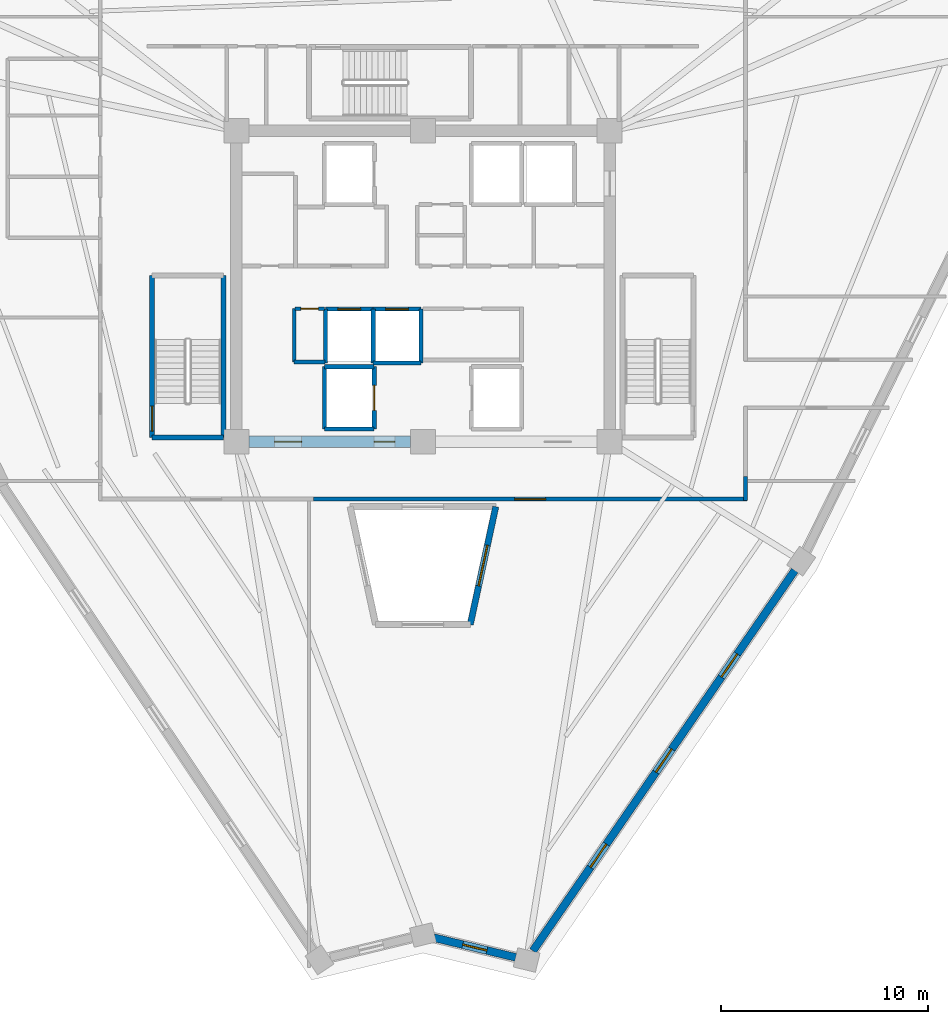
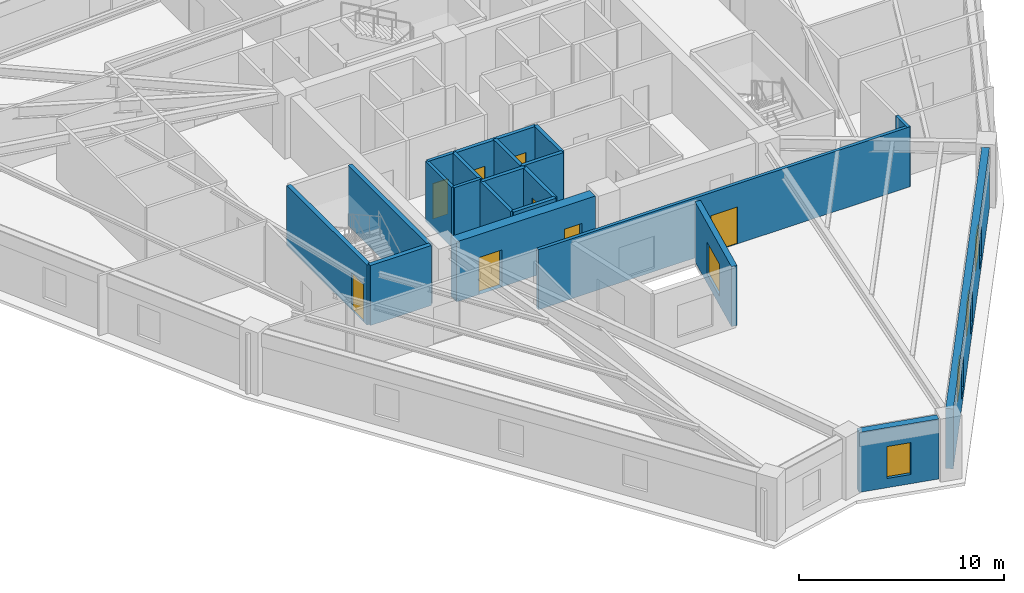
# One storey, part 3 of 8: 22 walls, 8 doors, 5 windows, 13 openings.
"""IFC4 building model written with IfcOpenShell, lengths in metres."""

from ifc_helpers import new_model, si_unit, direction, frame, frame_2d, origin, place, context, subcontext, project, spatial, rectangle, extrude, source, transform, mapped, material, layer, layer_set, type_object, element, fill, save


model = new_model("IFC4")

# Units and contexts
model_context = context("Model", 3, precision=1e-05, world=origin(), true_north=direction((0.0, 1.0)))
body_context = subcontext(model_context, "Body", "Model", "MODEL_VIEW")
ifc_project = project(units=[si_unit("LENGTHUNIT", "METRE"), si_unit("AREAUNIT", "SQUARE_METRE"), si_unit("VOLUMEUNIT", "CUBIC_METRE"), si_unit("PLANEANGLEUNIT", "RADIAN"), si_unit("MASSUNIT", "GRAM", prefix="KILO")], contexts=[model_context])

# Site, building, storey
site_placement = place(None, origin())
site = spatial("IfcSite", under=ifc_project, at=site_placement, CompositionType="ELEMENT")
building_placement = place(site_placement, origin())
building = spatial("IfcBuilding", under=site, at=building_placement, Name="Liaohun Quay Tower", CompositionType="ELEMENT")
storey_placement = place(building_placement, frame((0.0, 0.0, 290.25)))
storey = spatial("IfcBuildingStorey", under=building, at=storey_placement, Name="L75", CompositionType="ELEMENT", Elevation=290.25)

# Wall, opening, window
ifc_material_1 = material(Name="Concrete C50", Category="concrete")
ifc_layer_1 = layer(ifc_material_1, 0.300048828125, Name="Concrete C50", Category="concrete")
ifc_layer_set_1 = layer_set([ifc_layer_1], Name="Concrete C50")
wall_type_1 = type_object("IfcWallType", Name="WAL-ATR-300", PredefinedType="SOLIDWALL", material=ifc_layer_set_1)
wall_1_placement = place(storey_placement, frame((63.511962890625, 43.3701171875, 0.0), z_axis=(0.0, 0.0, 1.0), x_axis=(-0.211300278916, -0.977421194844, 0.0)))
wall_1 = element("IfcWall", 1, at=wall_1_placement, inside=storey, type_object=wall_type_1, Name="L75 Atrium Fire Compartment Wall 3", PredefinedType="SOLIDWALL", context=body_context, shape_type="SweptSolid", body=[
    extrude(rectangle(XDim=5.81640625, YDim=0.300048828125, at=frame_2d((2.908203125, 0.0))), origin(), (0.0, 0.0, 1.0), 3.570068359375),
])
shared_shape_1 = source(origin(), body_context, "Body", "SweptSolid", [
    extrude(rectangle(XDim=2.0, YDim=1.89990234375, at=frame_2d((1.0, 0.949951171875))), frame((0.0, 0.159912109375, 0.0), z_axis=(0.0, -1.0, 0.0), x_axis=(1.0, 0.0, 0.0)), (0.0, 0.0, 1.0), 0.320068359375),
])
opening_1_placement = place(wall_1_placement, frame((1.907958984375, 0.0, 0.550048828125)))
opening_1 = element("IfcOpeningElement", 2, at=opening_1_placement, cuts=wall_1, Name="Opening W07", PredefinedType="OPENING", context=body_context, shape_type="MappedRepresentation", body=[
    mapped(shared_shape_1, transform((0.0, 0.0, 0.0), x_axis=(1.0, 0.0, 0.0), y_axis=(0.0, 1.0, 0.0), z_axis=(0.0, 0.0, 1.0), scale=1.0)),
])
ifc_material_2 = material(Name="Class A 180-min fire-resistant insulated glazing", Category="glass")
window_type_1 = type_object("IfcWindowType", Name="WIN-ATR-FIR", PartitioningType="DOUBLE_PANEL_VERTICAL", PredefinedType="WINDOW", material=ifc_material_2)
shared_shape_2 = source(origin(), body_context, "Body", "SweptSolid", [
    extrude(rectangle(XDim=2.0, YDim=1.89990234375, at=frame_2d((1.0, 0.949951171875))), frame((0.0, 0.030029296875, 0.0), z_axis=(0.0, -1.0, 0.0), x_axis=(1.0, 0.0, 0.0)), (0.0, 0.0, 1.0), 0.06005859375),
])
window_1_placement = place(opening_1_placement, origin())
window_1 = element("IfcWindow", 3, at=window_1_placement, inside=storey, type_object=window_type_1, Name="L75 Atrium Fire-Resistant Glazing W07-3", OverallHeight=1.89990234375, OverallWidth=2.0, PartitioningType="DOUBLE_PANEL_VERTICAL", PredefinedType="WINDOW", context=body_context, shape_type="MappedRepresentation", body=[
    mapped(shared_shape_2, transform((0.0, 0.0, 0.0), x_axis=(1.0, 0.0, 0.0), y_axis=(0.0, 1.0, 0.0), z_axis=(0.0, 0.0, 1.0), scale=1.0)),
])
fill(opening_1, window_1)

# Wall, openings, doors
ifc_layer_2 = layer(ifc_material_1, 0.550048828125, Name="Concrete C50", Category="concrete")
ifc_layer_set_2 = layer_set([ifc_layer_2], Name="Concrete C50")
wall_type_2 = type_object("IfcWallType", Name="WAL-COR-Z4", PredefinedType="SHEAR", material=ifc_layer_set_2)
wall_2_placement = place(storey_placement, frame((59.39990234375, 46.5, 0.0), z_axis=(0.0, 0.0, 1.0), x_axis=(-1.0, 0.0, 0.0)))
wall_2 = element("IfcWall", 4, at=wall_2_placement, inside=storey, type_object=wall_type_2, Name="L75 Central Core Shear Wall S-W", PredefinedType="SHEAR", context=body_context, shape_type="SweptSolid", body=[
    extrude(rectangle(XDim=7.7998046875, YDim=0.550048828125, at=frame_2d((3.89990234375, 0.0))), origin(), (0.0, 0.0, 1.0), 3.570068359375),
])
shared_shape_3 = source(origin(), body_context, "Body", "SweptSolid", [
    extrude(rectangle(XDim=1.300048828125, YDim=2.199951171875, at=frame_2d((0.64990234375, 1.10009765625))), frame((0.0, 0.284912109375, 0.0), z_axis=(0.0, -1.0, 0.0), x_axis=(1.0, 0.0, 0.0)), (0.0, 0.0, 1.0), 0.570068359375),
])
opening_2_placement = place(wall_2_placement, frame((5.25, 0.0, 0.0)))
opening_2 = element("IfcOpeningElement", 5, at=opening_2_placement, cuts=wall_2, Name="Opening FD1", PredefinedType="OPENING", context=body_context, shape_type="MappedRepresentation", body=[
    mapped(shared_shape_3, transform((0.0, 0.0, 0.0), x_axis=(1.0, 0.0, 0.0), y_axis=(0.0, 1.0, 0.0), z_axis=(0.0, 0.0, 1.0), scale=1.0)),
])
shared_shape_4 = source(origin(), body_context, "Body", "SweptSolid", [
    extrude(rectangle(XDim=1.0, YDim=2.199951171875, at=frame_2d((0.5, 1.10009765625))), frame((0.0, 0.284912109375, 0.0), z_axis=(0.0, -1.0, 0.0), x_axis=(1.0, 0.0, 0.0)), (0.0, 0.0, 1.0), 0.570068359375),
])
opening_3_placement = place(wall_2_placement, frame((0.75, 0.0, 0.0)))
opening_3 = element("IfcOpeningElement", 6, at=opening_3_placement, cuts=wall_2, Name="Opening FD2", PredefinedType="OPENING", context=body_context, shape_type="MappedRepresentation", body=[
    mapped(shared_shape_4, transform((0.0, 0.0, 0.0), x_axis=(1.0, 0.0, 0.0), y_axis=(0.0, 1.0, 0.0), z_axis=(0.0, 0.0, 1.0), scale=1.0)),
])
ifc_material_3 = material(Name="Galvanised steel smokeproof fire door", Category="steel")
door_type_1 = type_object("IfcDoorType", Name="DOR-FFL-1300", OperationType="NOTDEFINED", PredefinedType="DOOR", material=ifc_material_3)
shared_shape_5 = source(origin(), body_context, "Body", "SweptSolid", [
    extrude(rectangle(XDim=1.300048828125, YDim=2.199951171875, at=frame_2d((0.64990234375, 1.10009765625))), frame((0.0, 0.02490234375, 0.0), z_axis=(0.0, -1.0, 0.0), x_axis=(1.0, 0.0, 0.0)), (0.0, 0.0, 1.0), 0.050048828125),
])
door_1_placement = place(opening_2_placement, origin())
door_1 = element("IfcDoor", 7, at=door_1_placement, inside=storey, type_object=door_type_1, Name="L75 West Core Lift Lobby Smokeproof Door", OperationType="SINGLE_SWING_RIGHT", OverallHeight=2.199951171875, OverallWidth=1.300048828125, PredefinedType="DOOR", context=body_context, shape_type="MappedRepresentation", body=[
    mapped(shared_shape_5, transform((0.0, 0.0, 0.0), x_axis=(1.0, 0.0, 0.0), y_axis=(0.0, 1.0, 0.0), z_axis=(0.0, 0.0, 1.0), scale=1.0)),
])
fill(opening_2, door_1)
ifc_material_4 = material(Name="Galvanised steel smokeproof lobby fire door", Category="steel")
door_type_2 = type_object("IfcDoorType", Name="DOR-FFL-1000", OperationType="NOTDEFINED", PredefinedType="DOOR", material=ifc_material_4)
shared_shape_6 = source(origin(), body_context, "Body", "SweptSolid", [
    extrude(rectangle(XDim=1.0, YDim=2.199951171875, at=frame_2d((0.5, 1.10009765625))), frame((0.0, 0.02490234375, 0.0), z_axis=(0.0, -1.0, 0.0), x_axis=(1.0, 0.0, 0.0)), (0.0, 0.0, 1.0), 0.050048828125),
])
door_2_placement = place(opening_3_placement, origin())
door_2 = element("IfcDoor", 8, at=door_2_placement, inside=storey, type_object=door_type_2, Name="L75 South Firefighting Lobby Smokeproof Door", OperationType="SINGLE_SWING_LEFT", OverallHeight=2.199951171875, OverallWidth=1.0, PredefinedType="DOOR", context=body_context, shape_type="MappedRepresentation", body=[
    mapped(shared_shape_6, transform((0.0, 0.0, 0.0), x_axis=(1.0, 0.0, 0.0), y_axis=(0.0, 1.0, 0.0), z_axis=(0.0, 0.0, 1.0), scale=1.0)),
])
fill(opening_3, door_2)

# Wall, opening, window
ifc_material_5 = material(Name="Precast concrete C50 insulated sandwich", Category="concrete")
ifc_layer_3 = layer(ifc_material_5, 0.3798828125, Name="Precast concrete C50 insulated sandwich", Category="concrete")
ifc_layer_set_3 = layer_set([ifc_layer_3], Name="Precast concrete C50 insulated sandwich")
wall_type_3 = type_object("IfcWallType", Name="WAL-EXT-Z34", PredefinedType="SOLIDWALL", material=ifc_layer_set_3)
wall_3_placement = place(storey_placement, frame((60.52490234375, 22.5849609375, 0.0), z_axis=(0.0, 0.0, 1.0), x_axis=(0.97211669423, -0.234497617897, 0.0)))
wall_3 = element("IfcWall", 9, at=wall_3_placement, inside=storey, type_object=wall_type_3, Name="L75 Brutalist Precast Pier Wall 01", PredefinedType="SOLIDWALL", context=body_context, shape_type="SweptSolid", body=[
    extrude(rectangle(XDim=4.0634765625, YDim=0.3798828125, at=frame_2d((2.03173828125, 0.0))), origin(), (0.0, 0.0, 1.0), 3.570068359375),
])
shared_shape_7 = source(origin(), body_context, "Body", "SweptSolid", [
    extrude(rectangle(XDim=1.199951171875, YDim=1.89990234375, at=frame_2d((0.60009765625, 0.949951171875))), frame((0.0, 0.199951171875, 0.0), z_axis=(0.0, -1.0, 0.0), x_axis=(1.0, 0.0, 0.0)), (0.0, 0.0, 1.0), 0.39990234375),
])
opening_4_placement = place(wall_3_placement, frame((1.431884765625, 0.0, 0.550048828125)))
opening_4 = element("IfcOpeningElement", 10, at=opening_4_placement, cuts=wall_3, Name="Opening W05", PredefinedType="OPENING", context=body_context, shape_type="MappedRepresentation", body=[
    mapped(shared_shape_7, transform((0.0, 0.0, 0.0), x_axis=(1.0, 0.0, 0.0), y_axis=(0.0, 1.0, 0.0), z_axis=(0.0, 0.0, 1.0), scale=1.0)),
])
ifc_material_6 = material(Name="Triple Low-E corner notch glazing", Category="glass")
window_type_2 = type_object("IfcWindowType", Name="WIN-NOTCH", PartitioningType="SINGLE_PANEL", PredefinedType="WINDOW", material=ifc_material_6)
shared_shape_8 = source(origin(), body_context, "Body", "SweptSolid", [
    extrude(rectangle(XDim=1.199951171875, YDim=1.89990234375, at=frame_2d((0.60009765625, 0.949951171875))), frame((0.0, 0.030029296875, 0.0), z_axis=(0.0, -1.0, 0.0), x_axis=(1.0, 0.0, 0.0)), (0.0, 0.0, 1.0), 0.06005859375),
])
window_2_placement = place(opening_4_placement, origin())
window_2 = element("IfcWindow", 11, at=window_2_placement, inside=storey, type_object=window_type_2, Name="L75 Corner Notch Window W05-01", OverallHeight=1.89990234375, OverallWidth=1.199951171875, PartitioningType="SINGLE_PANEL", PredefinedType="WINDOW", context=body_context, shape_type="MappedRepresentation", body=[
    mapped(shared_shape_8, transform((0.0, 0.0, 0.0), x_axis=(1.0, 0.0, 0.0), y_axis=(0.0, 1.0, 0.0), z_axis=(0.0, 0.0, 1.0), scale=1.0)),
])
fill(opening_4, window_2)

# Wall, openings, windows
wall_4_placement = place(storey_placement, frame((65.305908203125, 21.949951171875, 0.0), z_axis=(0.0, 0.0, 1.0), x_axis=(0.567030177534, 0.823697018184, 0.0)))
wall_4 = element("IfcWall", 12, at=wall_4_placement, inside=storey, type_object=wall_type_3, Name="L75 Brutalist Precast Pier Wall 02", PredefinedType="SOLIDWALL", context=body_context, shape_type="SweptSolid", body=[
    extrude(rectangle(XDim=22.274169921875, YDim=0.3798828125, at=frame_2d((11.13720703125, 0.0))), origin(), (0.0, 0.0, 1.0), 3.570068359375),
])
shared_shape_9 = source(origin(), body_context, "Body", "SweptSolid", [
    extrude(rectangle(XDim=1.35009765625, YDim=1.85009765625, at=frame_2d((0.675048828125, 0.925048828125))), frame((0.0, 0.199951171875, 0.0), z_axis=(0.0, -1.0, 0.0), x_axis=(1.0, 0.0, 0.0)), (0.0, 0.0, 1.0), 0.39990234375),
])
opening_5_placement = place(wall_4_placement, frame((4.89306640625, 0.0, 0.550048828125)))
opening_5 = element("IfcOpeningElement", 13, at=opening_5_placement, cuts=wall_4, Name="Opening W04", PredefinedType="OPENING", context=body_context, shape_type="MappedRepresentation", body=[
    mapped(shared_shape_9, transform((0.0, 0.0, 0.0), x_axis=(1.0, 0.0, 0.0), y_axis=(0.0, 1.0, 0.0), z_axis=(0.0, 0.0, 1.0), scale=1.0)),
])
opening_6_placement = place(wall_4_placement, frame((10.4619140625, 0.0, 0.550048828125)))
opening_6 = element("IfcOpeningElement", 14, at=opening_6_placement, cuts=wall_4, Name="Opening W04", PredefinedType="OPENING", context=body_context, shape_type="MappedRepresentation", body=[
    mapped(shared_shape_9, transform((0.0, 0.0, 0.0), x_axis=(1.0, 0.0, 0.0), y_axis=(0.0, 1.0, 0.0), z_axis=(0.0, 0.0, 1.0), scale=1.0)),
])
opening_7_placement = place(wall_4_placement, frame((16.030029296875, 0.0, 0.550048828125)))
opening_7 = element("IfcOpeningElement", 15, at=opening_7_placement, cuts=wall_4, Name="Opening W04", PredefinedType="OPENING", context=body_context, shape_type="MappedRepresentation", body=[
    mapped(shared_shape_9, transform((0.0, 0.0, 0.0), x_axis=(1.0, 0.0, 0.0), y_axis=(0.0, 1.0, 0.0), z_axis=(0.0, 0.0, 1.0), scale=1.0)),
])
ifc_material_7 = material(Name="Triple Low-E argon glazing in thermally broken aluminium", Category="aluminium")
window_type_3 = type_object("IfcWindowType", Name="WIN-PUN-Z4", PartitioningType="SINGLE_PANEL", PredefinedType="WINDOW", material=ifc_material_7)
shared_shape_10 = source(origin(), body_context, "Body", "SweptSolid", [
    extrude(rectangle(XDim=1.35009765625, YDim=1.85009765625, at=frame_2d((0.675048828125, 0.925048828125))), frame((0.0, 0.030029296875, 0.0), z_axis=(0.0, -1.0, 0.0), x_axis=(1.0, 0.0, 0.0)), (0.0, 0.0, 1.0), 0.06005859375),
])
window_3_placement = place(opening_5_placement, origin())
window_3 = element("IfcWindow", 16, at=window_3_placement, inside=storey, type_object=window_type_3, Name="L75 Recessed Cold-Climate Punched Window 02-1", OverallHeight=1.85009765625, OverallWidth=1.35009765625, PartitioningType="SINGLE_PANEL", PredefinedType="WINDOW", context=body_context, shape_type="MappedRepresentation", body=[
    mapped(shared_shape_10, transform((0.0, 0.0, 0.0), x_axis=(1.0, 0.0, 0.0), y_axis=(0.0, 1.0, 0.0), z_axis=(0.0, 0.0, 1.0), scale=1.0)),
])
fill(opening_5, window_3)
window_4_placement = place(opening_6_placement, origin())
window_4 = element("IfcWindow", 17, at=window_4_placement, inside=storey, type_object=window_type_3, Name="L75 Recessed Cold-Climate Punched Window 02-2", OverallHeight=1.85009765625, OverallWidth=1.35009765625, PartitioningType="SINGLE_PANEL", PredefinedType="WINDOW", context=body_context, shape_type="MappedRepresentation", body=[
    mapped(shared_shape_10, transform((0.0, 0.0, 0.0), x_axis=(1.0, 0.0, 0.0), y_axis=(0.0, 1.0, 0.0), z_axis=(0.0, 0.0, 1.0), scale=1.0)),
])
fill(opening_6, window_4)
window_5_placement = place(opening_7_placement, origin())
window_5 = element("IfcWindow", 18, at=window_5_placement, inside=storey, type_object=window_type_3, Name="L75 Recessed Cold-Climate Punched Window 02-3", OverallHeight=1.85009765625, OverallWidth=1.35009765625, PartitioningType="SINGLE_PANEL", PredefinedType="WINDOW", context=body_context, shape_type="MappedRepresentation", body=[
    mapped(shared_shape_10, transform((0.0, 0.0, 0.0), x_axis=(1.0, 0.0, 0.0), y_axis=(0.0, 1.0, 0.0), z_axis=(0.0, 0.0, 1.0), scale=1.0)),
])
fill(opening_7, window_5)

# Wall, opening, door
ifc_material_8 = material(Name="Autoclaved aerated concrete blockwork", Category="masonry")
ifc_layer_4 = layer(ifc_material_8, 0.179931640625, Name="Autoclaved aerated concrete blockwork", Category="masonry")
ifc_layer_set_4 = layer_set([ifc_layer_4], Name="Autoclaved aerated concrete blockwork")
wall_type_4 = type_object("IfcWallType", Name="WAL-PRT-COR", PredefinedType="PARTITIONING", material=ifc_layer_set_4)
wall_5_placement = place(storey_placement, frame((53.820068359375, 52.919921875, 0.0), z_axis=(0.0, 0.0, 1.0), x_axis=(1.0, 0.0, 0.0)))
wall_5 = element("IfcWall", 19, at=wall_5_placement, inside=storey, type_object=wall_type_4, Name="L75 Interior Partition Wall 008", PredefinedType="PARTITIONING", context=body_context, shape_type="SweptSolid", body=[
    extrude(rectangle(XDim=1.429931640625, YDim=0.179931640625, at=frame_2d((0.71484375, 0.0))), origin(), (0.0, 0.0, 1.0), 3.570068359375),
])
shared_shape_11 = source(origin(), body_context, "Body", "SweptSolid", [
    extrude(rectangle(XDim=0.85009765625, YDim=2.10009765625, at=frame_2d((0.425048828125, 1.050048828125))), frame((0.0, 0.099853515625, 0.0), z_axis=(0.0, -1.0, 0.0), x_axis=(1.0, 0.0, 0.0)), (0.0, 0.0, 1.0), 0.199951171875),
])
opening_8_placement = place(wall_5_placement, frame((0.2900390625, 0.0, 0.0)))
opening_8 = element("IfcOpeningElement", 20, at=opening_8_placement, cuts=wall_5, Name="Opening AD1", PredefinedType="OPENING", context=body_context, shape_type="MappedRepresentation", body=[
    mapped(shared_shape_11, transform((0.0, 0.0, 0.0), x_axis=(1.0, 0.0, 0.0), y_axis=(0.0, 1.0, 0.0), z_axis=(0.0, 0.0, 1.0), scale=1.0)),
])
ifc_material_9 = material(Name="Steel riser inspection fire door", Category="steel")
door_type_3 = type_object("IfcDoorType", Name="DOR-SHF-850", OperationType="NOTDEFINED", PredefinedType="DOOR", material=ifc_material_9)
shared_shape_12 = source(origin(), body_context, "Body", "SweptSolid", [
    extrude(rectangle(XDim=0.85009765625, YDim=2.10009765625, at=frame_2d((0.425048828125, 1.050048828125))), frame((0.0, 0.02490234375, 0.0), z_axis=(0.0, -1.0, 0.0), x_axis=(1.0, 0.0, 0.0)), (0.0, 0.0, 1.0), 0.050048828125),
])
door_3_placement = place(opening_8_placement, origin())
door_3 = element("IfcDoor", 21, at=door_3_placement, inside=storey, type_object=door_type_3, Name="L75 Core Fire Hose and Riser Closet Door", OperationType="SINGLE_SWING_RIGHT", OverallHeight=2.10009765625, OverallWidth=0.85009765625, PredefinedType="DOOR", context=body_context, shape_type="MappedRepresentation", body=[
    mapped(shared_shape_12, transform((0.0, 0.0, 0.0), x_axis=(1.0, 0.0, 0.0), y_axis=(0.0, 1.0, 0.0), z_axis=(0.0, 0.0, 1.0), scale=1.0)),
])
fill(opening_8, door_3)

wall_6_placement = place(storey_placement, frame((75.6298828125, 43.739990234375, 0.0), z_axis=(0.0, 0.0, 1.0), x_axis=(-1.0, 0.0, 0.0)))
wall_6 = element("IfcWall", 22, at=wall_6_placement, inside=storey, type_object=wall_type_4, Name="L75 Interior Partition Wall 026", PredefinedType="PARTITIONING", context=body_context, shape_type="SweptSolid", body=[
    extrude(rectangle(XDim=20.914794921875, YDim=0.179931640625, at=frame_2d((10.45751953125, 0.0))), origin(), (0.0, 0.0, 1.0), 3.570068359375),
])
shared_shape_13 = source(origin(), body_context, "Body", "SweptSolid", [
    extrude(rectangle(XDim=1.5, YDim=2.199951171875, at=frame_2d((0.75, 1.10009765625))), frame((0.0, 0.099853515625, 0.0), z_axis=(0.0, -1.0, 0.0), x_axis=(1.0, 0.0, 0.0)), (0.0, 0.0, 1.0), 0.199951171875),
])
opening_9_placement = place(wall_6_placement, frame((9.70703125, 0.0, 0.0)))
opening_9 = element("IfcOpeningElement", 23, at=opening_9_placement, cuts=wall_6, Name="Opening OD2", PredefinedType="OPENING", context=body_context, shape_type="MappedRepresentation", body=[
    mapped(shared_shape_13, transform((0.0, 0.0, 0.0), x_axis=(1.0, 0.0, 0.0), y_axis=(0.0, 1.0, 0.0), z_axis=(0.0, 0.0, 1.0), scale=1.0)),
])
ifc_material_10 = material(Name="Acoustic oak veneer double door")
door_type_4 = type_object("IfcDoorType", Name="DOR-OFF-1500", OperationType="DOUBLE_DOOR_SINGLE_SWING", PredefinedType="DOOR", material=ifc_material_10)
shared_shape_14 = source(origin(), body_context, "Body", "SweptSolid", [
    extrude(rectangle(XDim=1.5, YDim=2.199951171875, at=frame_2d((0.75, 1.10009765625))), frame((0.0, 0.02490234375, 0.0), z_axis=(0.0, -1.0, 0.0), x_axis=(1.0, 0.0, 0.0)), (0.0, 0.0, 1.0), 0.050048828125),
])
door_4_placement = place(opening_9_placement, origin())
door_4 = element("IfcDoor", 24, at=door_4_placement, inside=storey, type_object=door_type_4, Name="L75 Occupational Wellness Clinic 08 Door", OperationType="DOUBLE_DOOR_SINGLE_SWING", OverallHeight=2.199951171875, OverallWidth=1.5, PredefinedType="DOOR", context=body_context, shape_type="MappedRepresentation", body=[
    mapped(shared_shape_14, transform((0.0, 0.0, 0.0), x_axis=(1.0, 0.0, 0.0), y_axis=(0.0, 1.0, 0.0), z_axis=(0.0, 0.0, 1.0), scale=1.0)),
])
fill(opening_9, door_4)

# Walls
wall_7_placement = place(storey_placement, frame((53.7900390625, 50.35009765625, 0.0), z_axis=(0.0, 0.0, 1.0), x_axis=(0.0, 1.0, 0.0)))
element("IfcWall", 25, at=wall_7_placement, inside=storey, type_object=wall_type_4, Name="L75 Interior Partition Wall 034", PredefinedType="PARTITIONING", context=body_context, shape_type="SweptSolid", body=[
    extrude(rectangle(XDim=2.56982421875, YDim=0.179931640625, at=frame_2d((1.284912109375, 0.0))), origin(), (0.0, 0.0, 1.0), 3.570068359375),
])
wall_8_placement = place(storey_placement, frame((53.7900390625, 50.35009765625, 0.0), z_axis=(0.0, 0.0, 1.0), x_axis=(1.0, 0.0, 0.0)))
element("IfcWall", 26, at=wall_8_placement, inside=storey, type_object=wall_type_4, Name="L75 Interior Partition Wall 035", PredefinedType="PARTITIONING", context=body_context, shape_type="SweptSolid", body=[
    extrude(rectangle(XDim=1.489990234375, YDim=0.179931640625, at=frame_2d((0.7451171875, 0.0))), origin(), (0.0, 0.0, 1.0), 3.570068359375),
])
wall_9_placement = place(storey_placement, frame((75.56005859375, 44.81494140625, 0.0), z_axis=(0.0, 0.0, 1.0), x_axis=(0.0, -1.0, 0.0)))
element("IfcWall", 27, at=wall_9_placement, inside=storey, type_object=wall_type_4, Name="L75 Interior Partition Wall 052", PredefinedType="PARTITIONING", context=body_context, shape_type="SweptSolid", body=[
    extrude(rectangle(XDim=1.14501953125, YDim=0.179931640625, at=frame_2d((0.572509765625, 0.0))), origin(), (0.0, 0.0, 1.0), 3.570068359375),
])
ifc_layer_5 = layer(ifc_material_1, 0.239990234375, Name="Concrete C50", Category="concrete")
ifc_layer_set_5 = layer_set([ifc_layer_5], Name="Concrete C50")
wall_type_5 = type_object("IfcWallType", Name="WAL-SHF-200", PredefinedType="SOLIDWALL", material=ifc_layer_set_5)
wall_10_placement = place(storey_placement, frame((46.93994140625, 46.699951171875, 0.0), z_axis=(0.0, 0.0, 1.0), x_axis=(1.0, 0.0, 0.0)))
element("IfcWall", 28, at=wall_10_placement, inside=storey, type_object=wall_type_5, Name="L75 Stairwell ST-1 Structural Core Wall S", PredefinedType="SOLIDWALL", context=body_context, shape_type="SweptSolid", body=[
    extrude(rectangle(XDim=3.43994140625, YDim=0.239990234375, at=frame_2d((1.719970703125, 0.0))), origin(), (0.0, 0.0, 1.0), 3.570068359375),
])
wall_11_placement = place(storey_placement, frame((50.3798828125, 46.699951171875, 0.0), z_axis=(0.0, 0.0, 1.0), x_axis=(0.0, 1.0, 0.0)))
element("IfcWall", 29, at=wall_11_placement, inside=storey, type_object=wall_type_5, Name="L75 Stairwell ST-1 Structural Core Wall E", PredefinedType="SOLIDWALL", context=body_context, shape_type="SweptSolid", body=[
    extrude(rectangle(XDim=7.820068359375, YDim=0.239990234375, at=frame_2d((3.91015625, 0.0))), origin(), (0.0, 0.0, 1.0), 3.570068359375),
])

# Wall, opening, door
wall_12_placement = place(storey_placement, frame((46.93994140625, 54.52001953125, 0.0), z_axis=(0.0, 0.0, 1.0), x_axis=(0.0, -1.0, 0.0)))
wall_12 = element("IfcWall", 30, at=wall_12_placement, inside=storey, type_object=wall_type_5, Name="L75 Stairwell ST-1 Structural Core Wall W", PredefinedType="SOLIDWALL", context=body_context, shape_type="SweptSolid", body=[
    extrude(rectangle(XDim=7.820068359375, YDim=0.239990234375, at=frame_2d((3.91015625, 0.0))), origin(), (0.0, 0.0, 1.0), 3.570068359375),
])
shared_shape_15 = source(origin(), body_context, "Body", "SweptSolid", [
    extrude(rectangle(XDim=1.199951171875, YDim=2.199951171875, at=frame_2d((0.60009765625, 1.10009765625))), frame((0.0, 0.1298828125, 0.0), z_axis=(0.0, -1.0, 0.0), x_axis=(1.0, 0.0, 0.0)), (0.0, 0.0, 1.0), 0.260009765625),
])
opening_10_placement = place(wall_12_placement, frame((6.300048828125, 0.0, 0.0)))
opening_10 = element("IfcOpeningElement", 31, at=opening_10_placement, cuts=wall_12, Name="Opening SD1", PredefinedType="OPENING", context=body_context, shape_type="MappedRepresentation", body=[
    mapped(shared_shape_15, transform((0.0, 0.0, 0.0), x_axis=(1.0, 0.0, 0.0), y_axis=(0.0, 1.0, 0.0), z_axis=(0.0, 0.0, 1.0), scale=1.0)),
])
ifc_material_11 = material(Name="Galvanised steel fire door", Category="steel")
door_type_5 = type_object("IfcDoorType", Name="DOR-STR-1200", OperationType="NOTDEFINED", PredefinedType="DOOR", material=ifc_material_11)
shared_shape_16 = source(origin(), body_context, "Body", "SweptSolid", [
    extrude(rectangle(XDim=1.199951171875, YDim=2.199951171875, at=frame_2d((0.60009765625, 1.10009765625))), frame((0.0, 0.02490234375, 0.0), z_axis=(0.0, -1.0, 0.0), x_axis=(1.0, 0.0, 0.0)), (0.0, 0.0, 1.0), 0.050048828125),
])
door_5_placement = place(opening_10_placement, origin())
door_5 = element("IfcDoor", 32, at=door_5_placement, inside=storey, type_object=door_type_5, Name="L75 Protected Stair ST-1 Fire Door", OperationType="SINGLE_SWING_LEFT", OverallHeight=2.199951171875, OverallWidth=1.199951171875, PredefinedType="DOOR", context=body_context, shape_type="MappedRepresentation", body=[
    mapped(shared_shape_16, transform((0.0, 0.0, 0.0), x_axis=(1.0, 0.0, 0.0), y_axis=(0.0, 1.0, 0.0), z_axis=(0.0, 0.0, 1.0), scale=1.0)),
])
fill(opening_10, door_5)

# Wall
wall_13_placement = place(storey_placement, frame((55.25, 47.1201171875, 0.0), z_axis=(0.0, 0.0, 1.0), x_axis=(1.0, 0.0, 0.0)))
element("IfcWall", 33, at=wall_13_placement, inside=storey, type_object=wall_type_5, Name="L75 Lift FF-01 Hoistway Wall S", PredefinedType="SOLIDWALL", context=body_context, shape_type="SweptSolid", body=[
    extrude(rectangle(XDim=2.39990234375, YDim=0.199951171875, at=frame_2d((1.199951171875, 0.0))), origin(), (0.0, 0.0, 1.0), 3.570068359375),
])

# Wall, opening, door
wall_14_placement = place(storey_placement, frame((57.64990234375, 47.1201171875, 0.0), z_axis=(0.0, 0.0, 1.0), x_axis=(0.0, 1.0, 0.0)))
wall_14 = element("IfcWall", 34, at=wall_14_placement, inside=storey, type_object=wall_type_5, Name="L75 Lift FF-01 Hoistway Wall E", PredefinedType="SOLIDWALL", context=body_context, shape_type="SweptSolid", body=[
    extrude(rectangle(XDim=3.0, YDim=0.199951171875, at=frame_2d((1.5, 0.0))), origin(), (0.0, 0.0, 1.0), 3.570068359375),
])
shared_shape_17 = source(origin(), body_context, "Body", "SweptSolid", [
    extrude(rectangle(XDim=1.199951171875, YDim=2.300048828125, at=frame_2d((0.60009765625, 1.14990234375))), frame((0.0, 0.10986328125, 0.0), z_axis=(0.0, -1.0, 0.0), x_axis=(1.0, 0.0, 0.0)), (0.0, 0.0, 1.0), 0.219970703125),
])
opening_11_placement = place(wall_14_placement, frame((0.89990234375, 0.0, 0.0)))
opening_11 = element("IfcOpeningElement", 35, at=opening_11_placement, cuts=wall_14, Name="Opening LD2", PredefinedType="OPENING", context=body_context, shape_type="MappedRepresentation", body=[
    mapped(shared_shape_17, transform((0.0, 0.0, 0.0), x_axis=(1.0, 0.0, 0.0), y_axis=(0.0, 1.0, 0.0), z_axis=(0.0, 0.0, 1.0), scale=1.0)),
])
ifc_material_12 = material(Name="Brushed stainless steel stretcher landing door", Category="steel")
door_type_6 = type_object("IfcDoorType", Name="DOR-LFT-1200", OperationType="SLIDING_TO_LEFT", PredefinedType="DOOR", material=ifc_material_12)
shared_shape_18 = source(origin(), body_context, "Body", "SweptSolid", [
    extrude(rectangle(XDim=1.199951171875, YDim=2.300048828125, at=frame_2d((0.60009765625, 1.14990234375))), frame((0.0, 0.02490234375, 0.0), z_axis=(0.0, -1.0, 0.0), x_axis=(1.0, 0.0, 0.0)), (0.0, 0.0, 1.0), 0.050048828125),
])
door_6_placement = place(opening_11_placement, origin())
door_6 = element("IfcDoor", 36, at=door_6_placement, inside=storey, type_object=door_type_6, Name="L75 Lift FF-01 Sliding Landing Door", OperationType="SLIDING_TO_LEFT", OverallHeight=2.300048828125, OverallWidth=1.199951171875, PredefinedType="DOOR", context=body_context, shape_type="MappedRepresentation", body=[
    mapped(shared_shape_18, transform((0.0, 0.0, 0.0), x_axis=(1.0, 0.0, 0.0), y_axis=(0.0, 1.0, 0.0), z_axis=(0.0, 0.0, 1.0), scale=1.0)),
])
fill(opening_11, door_6)

# Walls
wall_15_placement = place(storey_placement, frame((57.64990234375, 50.1201171875, 0.0), z_axis=(0.0, 0.0, 1.0), x_axis=(-1.0, 0.0, 0.0)))
element("IfcWall", 37, at=wall_15_placement, inside=storey, type_object=wall_type_5, Name="L75 Lift FF-01 Hoistway Wall N", PredefinedType="SOLIDWALL", context=body_context, shape_type="SweptSolid", body=[
    extrude(rectangle(XDim=2.39990234375, YDim=0.199951171875, at=frame_2d((1.199951171875, 0.0))), origin(), (0.0, 0.0, 1.0), 3.570068359375),
])
wall_16_placement = place(storey_placement, frame((55.25, 50.1201171875, 0.0), z_axis=(0.0, 0.0, 1.0), x_axis=(0.0, -1.0, 0.0)))
element("IfcWall", 38, at=wall_16_placement, inside=storey, type_object=wall_type_5, Name="L75 Lift FF-01 Hoistway Wall W", PredefinedType="SOLIDWALL", context=body_context, shape_type="SweptSolid", body=[
    extrude(rectangle(XDim=3.0, YDim=0.199951171875, at=frame_2d((1.5, 0.0))), origin(), (0.0, 0.0, 1.0), 3.570068359375),
])
wall_17_placement = place(storey_placement, frame((57.60009765625, 50.300048828125, 0.0), z_axis=(0.0, 0.0, 1.0), x_axis=(0.0, 1.0, 0.0)))
element("IfcWall", 39, at=wall_17_placement, inside=storey, type_object=wall_type_5, Name="L75 Lift PL-4A Hoistway Wall E", PredefinedType="SOLIDWALL", context=body_context, shape_type="SweptSolid", body=[
    extrude(rectangle(XDim=2.599853515625, YDim=0.199951171875, at=frame_2d((1.2998046875, 0.0))), origin(), (0.0, 0.0, 1.0), 3.570068359375),
])

# Wall, opening, door
wall_18_placement = place(storey_placement, frame((57.60009765625, 52.89990234375, 0.0), z_axis=(0.0, 0.0, 1.0), x_axis=(-1.0, 0.0, 0.0)))
wall_18 = element("IfcWall", 40, at=wall_18_placement, inside=storey, type_object=wall_type_5, Name="L75 Lift PL-4A Hoistway Wall N", PredefinedType="SOLIDWALL", context=body_context, shape_type="SweptSolid", body=[
    extrude(rectangle(XDim=2.300048828125, YDim=0.199951171875, at=frame_2d((1.14990234375, 0.0))), origin(), (0.0, 0.0, 1.0), 3.570068359375),
])
shared_shape_19 = source(origin(), body_context, "Body", "SweptSolid", [
    extrude(rectangle(XDim=1.10009765625, YDim=2.199951171875, at=frame_2d((0.550048828125, 1.10009765625))), frame((0.0, 0.10986328125, 0.0), z_axis=(0.0, -1.0, 0.0), x_axis=(1.0, 0.0, 0.0)), (0.0, 0.0, 1.0), 0.219970703125),
])
opening_12_placement = place(wall_18_placement, frame((0.60009765625, 0.0, 0.0)))
opening_12 = element("IfcOpeningElement", 41, at=opening_12_placement, cuts=wall_18, Name="Opening LD1", PredefinedType="OPENING", context=body_context, shape_type="MappedRepresentation", body=[
    mapped(shared_shape_19, transform((0.0, 0.0, 0.0), x_axis=(1.0, 0.0, 0.0), y_axis=(0.0, 1.0, 0.0), z_axis=(0.0, 0.0, 1.0), scale=1.0)),
])
ifc_material_13 = material(Name="Brushed stainless steel landing door", Category="steel")
door_type_7 = type_object("IfcDoorType", Name="DOR-LFT-1100", OperationType="SLIDING_TO_LEFT", PredefinedType="DOOR", material=ifc_material_13)
shared_shape_20 = source(origin(), body_context, "Body", "SweptSolid", [
    extrude(rectangle(XDim=1.10009765625, YDim=2.199951171875, at=frame_2d((0.550048828125, 1.10009765625))), frame((0.0, 0.02490234375, 0.0), z_axis=(0.0, -1.0, 0.0), x_axis=(1.0, 0.0, 0.0)), (0.0, 0.0, 1.0), 0.050048828125),
])
door_7_placement = place(opening_12_placement, origin())
door_7 = element("IfcDoor", 42, at=door_7_placement, inside=storey, type_object=door_type_7, Name="L75 Lift PL-4A Sliding Landing Door", OperationType="SLIDING_TO_LEFT", OverallHeight=2.199951171875, OverallWidth=1.10009765625, PredefinedType="DOOR", context=body_context, shape_type="MappedRepresentation", body=[
    mapped(shared_shape_20, transform((0.0, 0.0, 0.0), x_axis=(1.0, 0.0, 0.0), y_axis=(0.0, 1.0, 0.0), z_axis=(0.0, 0.0, 1.0), scale=1.0)),
])
fill(opening_12, door_7)

# Walls
wall_19_placement = place(storey_placement, frame((55.300048828125, 52.89990234375, 0.0), z_axis=(0.0, 0.0, 1.0), x_axis=(0.0, -1.0, 0.0)))
element("IfcWall", 43, at=wall_19_placement, inside=storey, type_object=wall_type_5, Name="L75 Lift PL-4A Hoistway Wall W", PredefinedType="SOLIDWALL", context=body_context, shape_type="SweptSolid", body=[
    extrude(rectangle(XDim=2.599853515625, YDim=0.199951171875, at=frame_2d((1.2998046875, 0.0))), origin(), (0.0, 0.0, 1.0), 3.570068359375),
])
wall_20_placement = place(storey_placement, frame((57.60009765625, 50.300048828125, 0.0), z_axis=(0.0, 0.0, 1.0), x_axis=(1.0, 0.0, 0.0)))
element("IfcWall", 44, at=wall_20_placement, inside=storey, type_object=wall_type_5, Name="L75 Lift PL-4B Hoistway Wall S", PredefinedType="SOLIDWALL", context=body_context, shape_type="SweptSolid", body=[
    extrude(rectangle(XDim=2.2998046875, YDim=0.199951171875, at=frame_2d((1.14990234375, 0.0))), origin(), (0.0, 0.0, 1.0), 3.570068359375),
])
wall_21_placement = place(storey_placement, frame((59.89990234375, 50.300048828125, 0.0), z_axis=(0.0, 0.0, 1.0), x_axis=(0.0, 1.0, 0.0)))
element("IfcWall", 45, at=wall_21_placement, inside=storey, type_object=wall_type_5, Name="L75 Lift PL-4B Hoistway Wall E", PredefinedType="SOLIDWALL", context=body_context, shape_type="SweptSolid", body=[
    extrude(rectangle(XDim=2.599853515625, YDim=0.199951171875, at=frame_2d((1.2998046875, 0.0))), origin(), (0.0, 0.0, 1.0), 3.570068359375),
])

# Wall, opening, door
wall_22_placement = place(storey_placement, frame((59.89990234375, 52.89990234375, 0.0), z_axis=(0.0, 0.0, 1.0), x_axis=(-1.0, 0.0, 0.0)))
wall_22 = element("IfcWall", 46, at=wall_22_placement, inside=storey, type_object=wall_type_5, Name="L75 Lift PL-4B Hoistway Wall N", PredefinedType="SOLIDWALL", context=body_context, shape_type="SweptSolid", body=[
    extrude(rectangle(XDim=2.2998046875, YDim=0.199951171875, at=frame_2d((1.14990234375, 0.0))), origin(), (0.0, 0.0, 1.0), 3.570068359375),
])
opening_13_placement = place(wall_22_placement, frame((0.60009765625, 0.0, 0.0)))
opening_13 = element("IfcOpeningElement", 47, at=opening_13_placement, cuts=wall_22, Name="Opening LD1", PredefinedType="OPENING", context=body_context, shape_type="MappedRepresentation", body=[
    mapped(shared_shape_19, transform((0.0, 0.0, 0.0), x_axis=(1.0, 0.0, 0.0), y_axis=(0.0, 1.0, 0.0), z_axis=(0.0, 0.0, 1.0), scale=1.0)),
])
door_8_placement = place(opening_13_placement, origin())
door_8 = element("IfcDoor", 48, at=door_8_placement, inside=storey, type_object=door_type_7, Name="L75 Lift PL-4B Sliding Landing Door", OperationType="SLIDING_TO_LEFT", OverallHeight=2.199951171875, OverallWidth=1.10009765625, PredefinedType="DOOR", context=body_context, shape_type="MappedRepresentation", body=[
    mapped(shared_shape_20, transform((0.0, 0.0, 0.0), x_axis=(1.0, 0.0, 0.0), y_axis=(0.0, 1.0, 0.0), z_axis=(0.0, 0.0, 1.0), scale=1.0)),
])
fill(opening_13, door_8)

save(model, "model.ifc")
